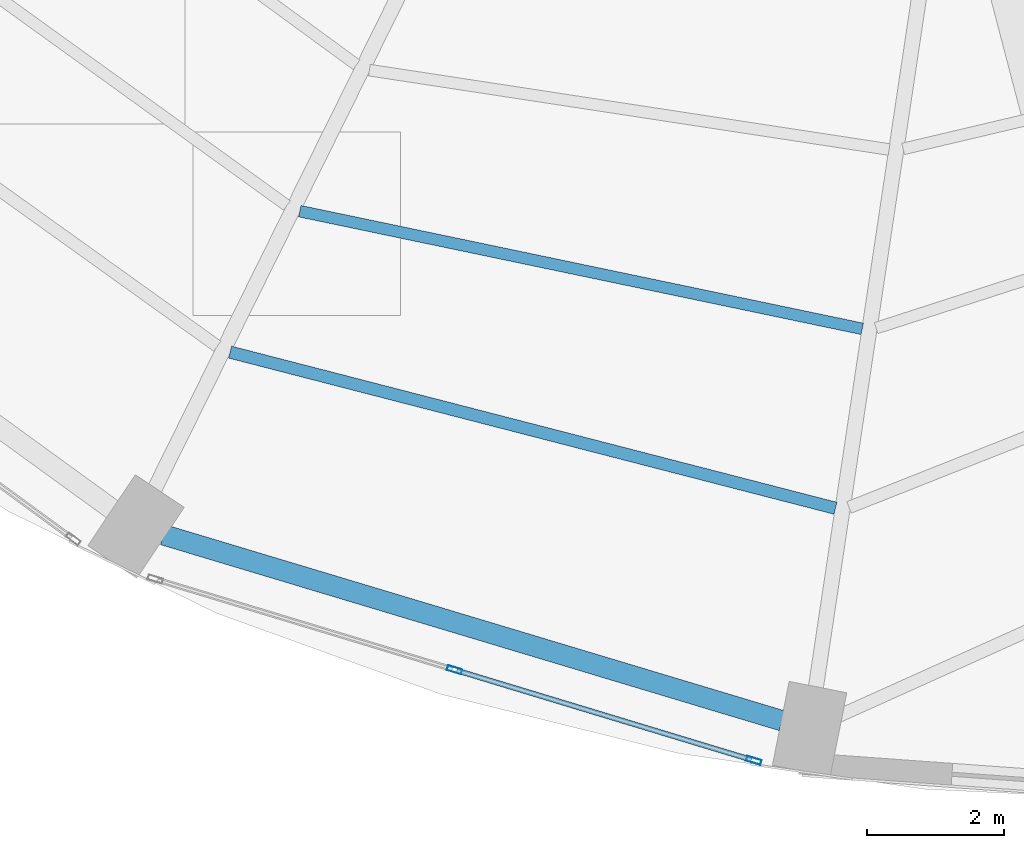
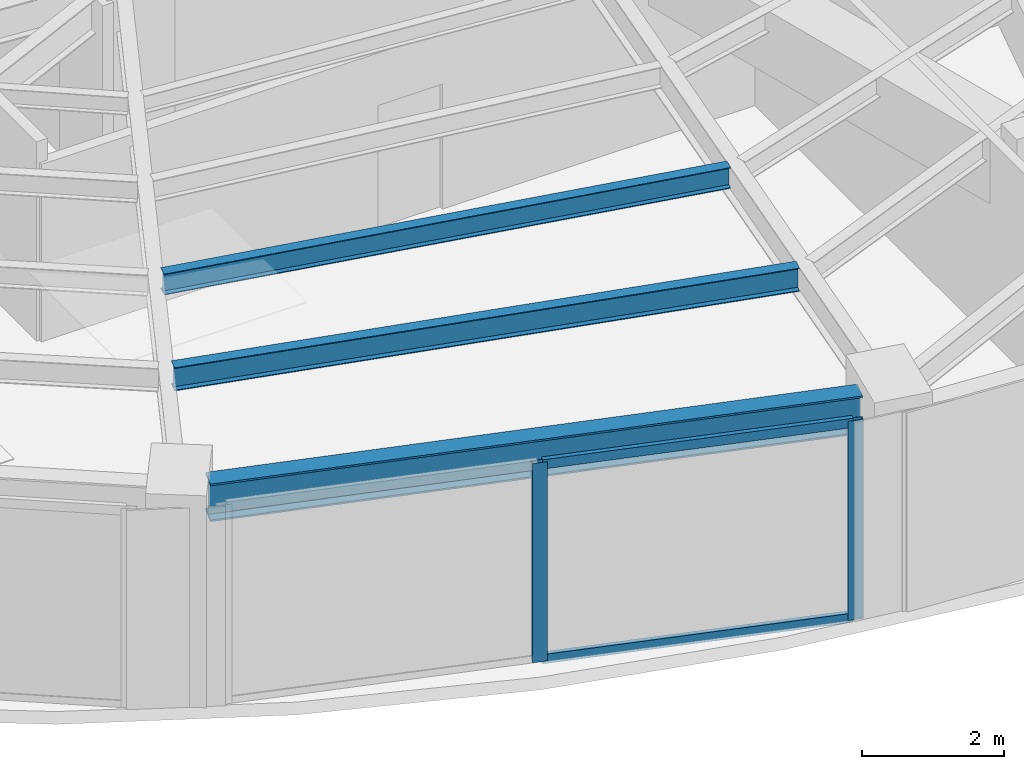
# One storey, part 5 of 24: 4 members, 3 beams, 1 element without a shape of its own.
"""IFC4 building model written with IfcOpenShell, lengths in metres."""

import ifcopenshell
import ifcopenshell.guid

model = None  # the IFC model being written
_history = None  # IfcOwnerHistory: only IFC2X3 demands one
_inside = {}  # id of a spatial element -> (the spatial element, [elements in it])
_under = {}  # id of a project, library or spatial element -> (it, [spatial elements below it])
_declared = {}  # id of a project -> (the project, [libraries it declares])
_typed = {}  # id of a type object -> (the type object, [elements of that type])
_made_of = {}  # id of a material, layer set ... -> (it, [elements and type objects made of it])


def new_model(schema):
    """Start an empty IFC model of exactly this schema.

    Asked for "IFC4X3", IfcOpenShell would pick the latest addendum, in which some entities
    have other attributes; the version numbers below select the first issue.
    IFC2X3 requires an IfcOwnerHistory on every rooted entity: one is made here for all.
    """
    global model, _history
    if schema == "IFC4X3":
        model = ifcopenshell.file(schema_version=(4, 3, 0, 0))
    else:
        model = ifcopenshell.file(schema=schema)
    _inside.clear()
    _under.clear()
    _declared.clear()
    _typed.clear()
    _made_of.clear()
    _history = None
    if model.schema == "IFC2X3":
        org = make("IfcOrganization", Name="unknown")
        user = make(
            "IfcPersonAndOrganization",
            ThePerson=make("IfcPerson", FamilyName="unknown"),
            TheOrganization=org,
        )
        app = make(
            "IfcApplication",
            ApplicationDeveloper=org,
            Version="unknown",
            ApplicationFullName="unknown",
            ApplicationIdentifier="unknown",
        )
        _history = make(
            "IfcOwnerHistory",
            OwningUser=user,
            OwningApplication=app,
            ChangeAction="ADDED",
            CreationDate=0,
        )
    return model


def make(cls, **values):
    """One entity of the class cls with the attributes given. An attribute that is None is left unset."""
    return model.create_entity(
        cls, **{name: value for name, value in values.items() if value is not None}
    )


def rooted(cls, **values):
    """An entity with a GlobalId (a new one), such as an element, a storey or a relation."""
    return make(cls, GlobalId=ifcopenshell.guid.new(), OwnerHistory=_history, **values)


def si_unit(unit_type, name, prefix=None):
    """IfcSIUnit, for example si_unit("LENGTHUNIT", "METRE", prefix="MILLI")."""
    return make("IfcSIUnit", UnitType=unit_type, Prefix=prefix, Name=name)


def assignment(units):
    """IfcUnitAssignment: the units of a project."""
    return None if units is None else make("IfcUnitAssignment", Units=units)


def point(xyz):
    """IfcCartesianPoint."""
    return None if xyz is None else make("IfcCartesianPoint", Coordinates=xyz)


def direction(xyz):
    """IfcDirection."""
    return None if xyz is None else make("IfcDirection", DirectionRatios=xyz)


def frame(location, z_axis=None, x_axis=None):
    """IfcAxis2Placement3D, a coordinate frame: its origin and axes. An axis left out is left unset."""
    return make(
        "IfcAxis2Placement3D",
        Location=point(location),
        Axis=direction(z_axis),
        RefDirection=direction(x_axis),
    )


def frame_2d(location, x_axis=None):
    """IfcAxis2Placement2D, a coordinate frame in the plane: its origin and x axis."""
    return make(
        "IfcAxis2Placement2D", Location=point(location), RefDirection=direction(x_axis)
    )


def origin():
    """The frame at (0, 0, 0) with its axes left unset."""
    return frame((0.0, 0.0, 0.0))


def origin_2d():
    """The frame at (0, 0) in the plane with its x axis left unset."""
    return frame_2d((0.0, 0.0))


def place(relative_to, where):
    """IfcLocalPlacement: puts the frame where relative to a parent placement (None: the world)."""
    return make(
        "IfcLocalPlacement", PlacementRelTo=relative_to, RelativePlacement=where
    )


def context(
    kind, dimensions, precision=None, world=None, true_north=None, identifier=None
):
    """IfcGeometricRepresentationContext, for example the 3D "Model" context."""
    return make(
        "IfcGeometricRepresentationContext",
        ContextIdentifier=identifier,
        ContextType=kind,
        CoordinateSpaceDimension=dimensions,
        Precision=precision,
        WorldCoordinateSystem=world,
        TrueNorth=true_north,
    )


def subcontext(parent, identifier, kind, view, scale=None):
    """IfcGeometricRepresentationSubContext, for example "Body" below "Model"."""
    return make(
        "IfcGeometricRepresentationSubContext",
        ContextIdentifier=identifier,
        ContextType=kind,
        ParentContext=parent,
        TargetScale=scale,
        TargetView=view,
    )


def project(units=None, contexts=None):
    """IfcProject with its units and contexts."""
    return rooted(
        "IfcProject",
        Name="project",
        RepresentationContexts=contexts,
        UnitsInContext=assignment(units),
    )


def spatial(cls, under=None, at=None, **own):
    """A site, building, storey or space (cls), placed at a placement, below another one or the project."""
    s = rooted(cls, ObjectPlacement=at, **own)
    if under is not None:
        _under.setdefault(under.id(), (under, []))[1].append(s)
    return s


def profile(cls, at=None, kind="AREA", **sizes):
    """A parametric profile (cls). Its sizes go by their IFC names, for example OverallWidth=200.0."""
    return make(cls, ProfileType=kind, Position=at, **sizes)


def hollow_rectangle(**sizes):
    """IfcRectangleHollowProfileDef."""
    return profile("IfcRectangleHollowProfileDef", **sizes)


def i_section(**sizes):
    """IfcIShapeProfileDef."""
    return profile("IfcIShapeProfileDef", **sizes)


def extrude(swept, where, along, depth):
    """IfcExtrudedAreaSolid: the profile swept, set in the frame where, extruded along a direction by depth."""
    return make(
        "IfcExtrudedAreaSolid",
        SweptArea=swept,
        Position=where,
        ExtrudedDirection=direction(along),
        Depth=depth,
    )


def shape(context_of_items, identifier, shape_type, items):
    """IfcShapeRepresentation: the items that make up one representation, for example the "Body"."""
    return make(
        "IfcShapeRepresentation",
        ContextOfItems=context_of_items,
        RepresentationIdentifier=identifier,
        RepresentationType=shape_type,
        Items=items,
    )


def material(Name=None, Category=None):
    """IfcMaterial."""
    return make("IfcMaterial", Name=Name, Category=Category)


def layer(
    of_material, thickness, ventilated=None, Name=None, Category=None, Priority=None
):
    """IfcMaterialLayer: one layer of a wall or slab, of a material (None: an air gap)."""
    return make(
        "IfcMaterialLayer",
        Material=of_material,
        LayerThickness=thickness,
        IsVentilated=ventilated,
        Name=Name,
        Category=Category,
        Priority=Priority,
    )


def layer_set(layers, Name=None):
    """IfcMaterialLayerSet."""
    return make("IfcMaterialLayerSet", MaterialLayers=layers, LayerSetName=Name)


def material_profile(
    of_material, cross_section, Name=None, Category=None, Priority=None
):
    """IfcMaterialProfile: a cross section and its material."""
    return make(
        "IfcMaterialProfile",
        Name=Name,
        Material=of_material,
        Profile=cross_section,
        Priority=Priority,
        Category=Category,
    )


def profile_set(profiles, Name=None, composite=None):
    """IfcMaterialProfileSet."""
    return make(
        "IfcMaterialProfileSet",
        Name=Name,
        MaterialProfiles=profiles,
        CompositeProfile=composite,
    )


def made_of(thing, what):
    """Note that an element or type object is made of a material, layer set ...; save() writes the relation."""
    if what is not None:
        _made_of.setdefault(what.id(), (what, []))[1].append(thing)
    return thing


def type_object(cls, material=None, **own):
    """A type object (cls), such as IfcWallType, which elements share."""
    return made_of(rooted(cls, **own), material)


def element(
    cls,
    number,
    at=None,
    inside=None,
    cuts=None,
    type_object=None,
    material=None,
    context=None,
    identifier="Body",
    shape_type=None,
    held_by="IfcProductDefinitionShape",
    body=None,
    shapes=None,
    **own,
):
    """One element of the class cls, such as IfcWall. Its Tag is "e" and its number.

    at: its placement. inside: the storey or other place that contains it. cuts: it is an
    opening in that element (IfcRelVoidsElement). A single representation is given by context,
    identifier, shape_type and body (its items); several are given by shapes. held_by: the class
    of the entity that holds the representations. save() writes the other relations.
    """
    e = rooted(cls, Tag="e%d" % number, ObjectPlacement=at, **own)
    if body is not None:
        shapes = [shape(context, identifier, shape_type, body)]
    if shapes is not None:
        e.Representation = make(held_by, Representations=shapes)
    if inside is not None:
        _inside.setdefault(inside.id(), (inside, []))[1].append(e)
    if cuts is not None:
        rooted(
            "IfcRelVoidsElement", RelatingBuildingElement=cuts, RelatedOpeningElement=e
        )
    if type_object is not None:
        _typed.setdefault(type_object.id(), (type_object, []))[1].append(e)
    return made_of(e, material)


def aggregate(whole, parts):
    """IfcRelAggregates: a whole, such as a stair, and the parts it consists of."""
    return rooted("IfcRelAggregates", RelatingObject=whole, RelatedObjects=parts)


def save(model, path):
    """Write the relations noted so far, then the file.

    IfcRelAggregates (storeys below a building ...), IfcRelContainedInSpatialStructure (elements
    in a storey), IfcRelDefinesByType, IfcRelAssociatesMaterial and IfcRelDeclares: one each for
    every whole, place, type object, material and project.
    """
    for whole, parts in _under.values():
        aggregate(whole, parts)
    for where, things in _inside.values():
        rooted(
            "IfcRelContainedInSpatialStructure",
            RelatedElements=things,
            RelatingStructure=where,
        )
    for kind, things in _typed.values():
        rooted("IfcRelDefinesByType", RelatedObjects=things, RelatingType=kind)
    for what, things in _made_of.values():
        rooted("IfcRelAssociatesMaterial", RelatedObjects=things, RelatingMaterial=what)
    for by, libraries in _declared.values():
        rooted("IfcRelDeclares", RelatingContext=by, RelatedDefinitions=libraries)
    model.write(path)


model = new_model("IFC4")

# Units and contexts
model_context = context("Model", 3, precision=1e-05, world=origin(), true_north=direction((0.0, 1.0)))
body_context = subcontext(model_context, "Body", "Model", "MODEL_VIEW")
ifc_project = project(units=[si_unit("LENGTHUNIT", "METRE"), si_unit("AREAUNIT", "SQUARE_METRE"), si_unit("VOLUMEUNIT", "CUBIC_METRE"), si_unit("PLANEANGLEUNIT", "RADIAN"), si_unit("MASSUNIT", "GRAM", prefix="KILO")], contexts=[model_context])

# Site, building, storey
site_placement = place(None, origin())
site = spatial("IfcSite", under=ifc_project, at=site_placement, CompositionType="ELEMENT")
building_placement = place(site_placement, origin())
building = spatial("IfcBuilding", under=site, at=building_placement, Name="Lazwardi Medical Tower", CompositionType="ELEMENT")
storey_placement = place(building_placement, frame((0.0, 0.0, 39.7919921875)))
storey = spatial("IfcBuildingStorey", under=building, at=storey_placement, Name="L09", CompositionType="ELEMENT", Elevation=39.7919921875)

# Beams
ifc_material_1 = material(Name="Steel S355", Category="steel")
ifc_material_profile_1 = material_profile(ifc_material_1, i_section(OverallWidth=0.300048828125, OverallDepth=0.64990234375, WebThickness=0.01611328125, FlangeThickness=0.031005859375, at=origin_2d()), Name="HEB 650")
ifc_profile_set_1 = profile_set([ifc_material_profile_1], Name="Steel S355")
beam_type_1 = type_object("IfcBeamType", Name="BM-RB-Z1", PredefinedType="BEAM", material=ifc_profile_set_1)
beam_1_placement = place(storey_placement, frame((21.22119140625, 8.9951171875, 3.10302734375), z_axis=(0.957695289269, -0.287784177662, 0.0), x_axis=(0.287784177662, 0.957695289269, 0.0)))
element("IfcBeam", 1, at=beam_1_placement, inside=storey, type_object=beam_type_1, Name="Ring beam RB-02 B15 L09", PredefinedType="BEAM", context=body_context, shape_type="SweptSolid", body=[
    extrude(i_section(OverallWidth=0.300048828125, OverallDepth=0.64990234375, WebThickness=0.01611328125, FlangeThickness=0.031005859375, at=origin_2d()), origin(), (0.0, 0.0, 1.0), 9.445556640625),
])
ifc_material_profile_2 = material_profile(ifc_material_1, i_section(OverallWidth=0.179931640625, OverallDepth=0.39990234375, WebThickness=0.008544921875, FlangeThickness=0.013427734375, at=origin_2d()), Name="IPE 400")
ifc_profile_set_2 = profile_set([ifc_material_profile_2], Name="Steel S355")
beam_type_2 = type_object("IfcBeamType", Name="BM-SJ-01", PredefinedType="JOIST", material=ifc_profile_set_2)
beam_2_placement = place(storey_placement, frame((22.195068359375, 11.666748046875, 3.22802734375), z_axis=(0.968316918308, -0.249724539682, 0.0), x_axis=(0.249724539682, 0.968316918308, 0.0)))
element("IfcBeam", 2, at=beam_2_placement, inside=storey, type_object=beam_type_2, Name="Secondary joist SJ-01 R1 B15 L09", PredefinedType="JOIST", context=body_context, shape_type="SweptSolid", body=[
    extrude(i_section(OverallWidth=0.179931640625, OverallDepth=0.39990234375, WebThickness=0.008544921875, FlangeThickness=0.013427734375, at=origin_2d()), origin(), (0.0, 0.0, 1.0), 9.140869140625),
])
ifc_material_profile_3 = material_profile(ifc_material_1, i_section(OverallWidth=0.169921875, OverallDepth=0.360107421875, WebThickness=0.008056640625, FlangeThickness=0.0126953125, at=origin_2d()), Name="IPE 360")
ifc_profile_set_3 = profile_set([ifc_material_profile_3], Name="Steel S355")
beam_type_3 = type_object("IfcBeamType", Name="BM-SJ-02", PredefinedType="JOIST", material=ifc_profile_set_3)
beam_3_placement = place(storey_placement, frame((23.213623046875, 13.728271484375, 3.248046875), z_axis=(0.978809182847, -0.204774470026, 0.0), x_axis=(0.204774470026, 0.978809182847, 0.0)))
element("IfcBeam", 3, at=beam_3_placement, inside=storey, type_object=beam_type_3, Name="Secondary joist SJ-02 R2 B15 L09", PredefinedType="JOIST", context=body_context, shape_type="SweptSolid", body=[
    extrude(i_section(OverallWidth=0.169921875, OverallDepth=0.360107421875, WebThickness=0.008056640625, FlangeThickness=0.0126953125, at=origin_2d()), origin(), (0.0, 0.0, 1.0), 8.40283203125),
])

# Curtain wall, members
ifc_material_2 = material(Name="Anodised bronze aluminium and solar control glazing", Category="aluminium")
ifc_layer = layer(ifc_material_2, 0.199951171875)
ifc_layer_set = layer_set([ifc_layer], Name="Anodised bronze aluminium and solar control glazing")
curtain_wall_type = type_object("IfcCurtainWallType", Name="CW-SYS-02", PredefinedType="NOTDEFINED", material=ifc_layer_set)
curtain_wall_placement = place(storey_placement, origin())
curtain_wall = element("IfcCurtainWall", 4, at=curtain_wall_placement, inside=storey, type_object=curtain_wall_type, Name="L09 Unitised bronze curtain wall CW-02", PredefinedType="NOTDEFINED")
ifc_material_3 = material(Name="Anodised bronze aluminium", Category="aluminium")
ifc_material_profile_4 = material_profile(ifc_material_3, hollow_rectangle(XDim=0.074951171875, YDim=0.219970703125, WallThickness=0.00390625, at=origin_2d()), Name="ALU-MULLION 220x75x4")
ifc_profile_set_4 = profile_set([ifc_material_profile_4], Name="Anodised bronze aluminium")
member_type_1 = type_object("IfcMemberType", Name="CW-MUL-01", PredefinedType="MULLION", material=ifc_profile_set_4)
member_1_placement = place(storey_placement, frame((25.476806640625, 7.021484375, 0.0), z_axis=(0.0, 0.0, 1.0), x_axis=(0.2898956909, 0.957058247129, 0.0)))
member_1 = element("IfcMember", 5, at=member_1_placement, type_object=member_type_1, Name="CW-02 mullion 2", PredefinedType="MULLION", context=body_context, shape_type="SweptSolid", body=[
    extrude(hollow_rectangle(XDim=0.074951171875, YDim=0.219970703125, WallThickness=0.00390625, at=origin_2d()), origin(), (0.0, 0.0, 1.0), 3.427978515625),
])
member_2_placement = place(storey_placement, frame((29.85205078125, 5.6962890625, 0.0), z_axis=(0.0, 0.0, 1.0), x_axis=(0.2898956909, 0.957058247129, 0.0)))
member_2 = element("IfcMember", 6, at=member_2_placement, type_object=member_type_1, Name="CW-02 mullion 3", PredefinedType="MULLION", context=body_context, shape_type="SweptSolid", body=[
    extrude(hollow_rectangle(XDim=0.074951171875, YDim=0.219970703125, WallThickness=0.00390625, at=origin_2d()), origin(), (0.0, 0.0, 1.0), 3.427978515625),
])
ifc_material_profile_5 = material_profile(ifc_material_3, hollow_rectangle(XDim=0.074951171875, YDim=0.159912109375, WallThickness=0.00390625, at=origin_2d()), Name="ALU-TRANSOM 160x75x4")
ifc_profile_set_5 = profile_set([ifc_material_profile_5], Name="Anodised bronze aluminium")
member_type_2 = type_object("IfcMemberType", Name="CW-TRN-01", PredefinedType="USERDEFINED", material=ifc_profile_set_5)
member_3_placement = place(storey_placement, frame((25.5126953125, 7.0107421875, 0.03759765625), z_axis=(0.957047233423, -0.28993204893, 0.0), x_axis=(0.28993204893, 0.957047233423, 0.0)))
member_3 = element("IfcMember", 7, at=member_3_placement, type_object=member_type_2, Name="CW-02 transom 2.1", ObjectType="TRANSOM", PredefinedType="USERDEFINED", context=body_context, shape_type="SweptSolid", body=[
    extrude(hollow_rectangle(XDim=0.074951171875, YDim=0.159912109375, WallThickness=0.00390625, at=origin_2d()), origin(), (0.0, 0.0, 1.0), 4.49658203125),
])
member_4_placement = place(storey_placement, frame((25.5126953125, 7.0107421875, 3.390625), z_axis=(0.957047233423, -0.28993204893, 0.0), x_axis=(0.28993204893, 0.957047233423, 0.0)))
member_4 = element("IfcMember", 8, at=member_4_placement, type_object=member_type_2, Name="CW-02 transom 2.2", ObjectType="TRANSOM", PredefinedType="USERDEFINED", context=body_context, shape_type="SweptSolid", body=[
    extrude(hollow_rectangle(XDim=0.074951171875, YDim=0.159912109375, WallThickness=0.00390625, at=origin_2d()), origin(), (0.0, 0.0, 1.0), 4.49658203125),
])
aggregate(curtain_wall, [member_1, member_2, member_3, member_4])

save(model, "model.ifc")
